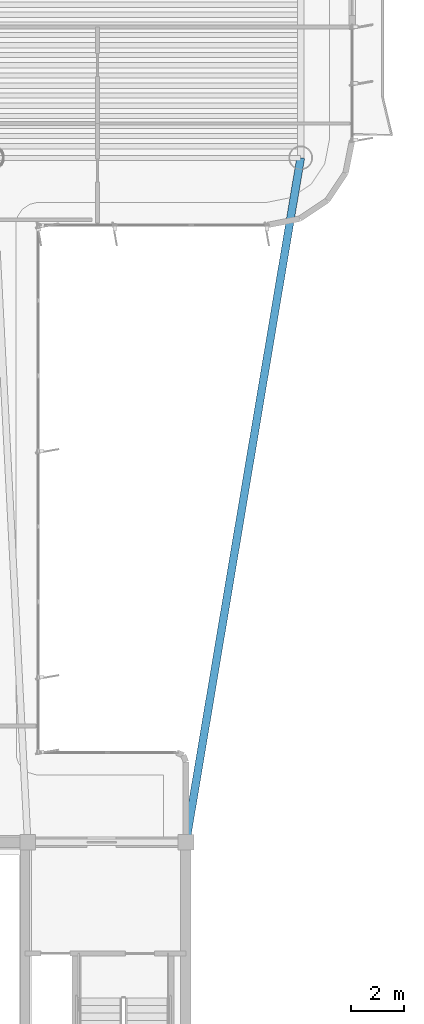
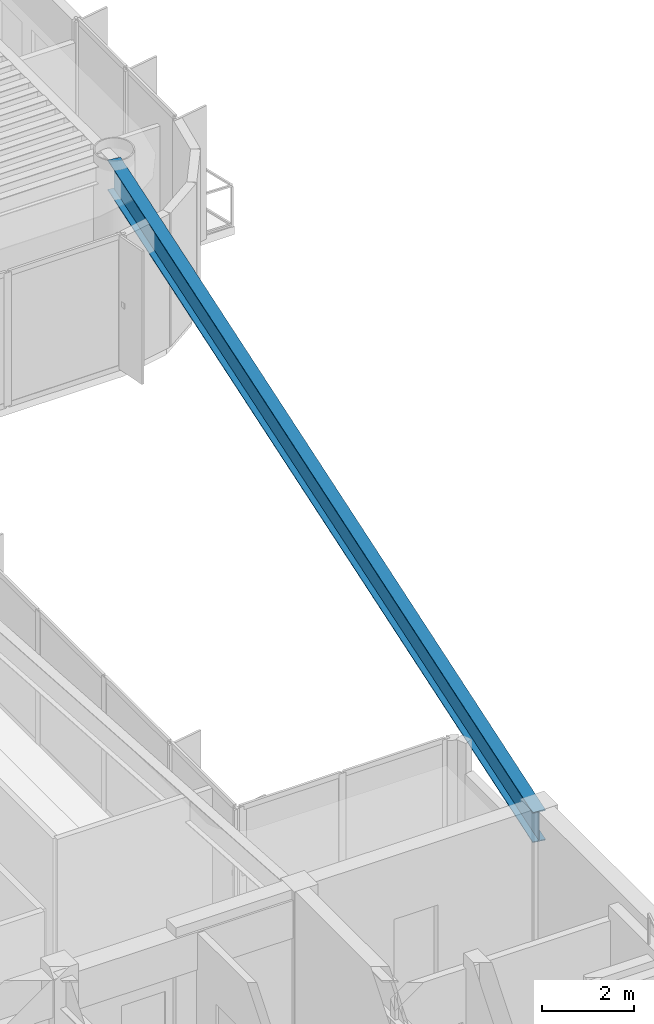
# One storey, part 4 of 15: 1 beam.
"""IFC4 building model written with IfcOpenShell, lengths in metres."""

from ifc_helpers import new_model, si_unit, direction, frame, origin, origin_2d, place, context, subcontext, project, spatial, i_section, extrude, source, transform, mapped, material, material_profile, profile_set, type_object, element, save


model = new_model("IFC4")

# Units and contexts
model_context = context("Model", 3, precision=1e-05, world=origin(), true_north=direction((0.0, 1.0)))
body_context = subcontext(model_context, "Body", "Model", "MODEL_VIEW")
ifc_project = project(units=[si_unit("LENGTHUNIT", "METRE"), si_unit("AREAUNIT", "SQUARE_METRE"), si_unit("VOLUMEUNIT", "CUBIC_METRE"), si_unit("PLANEANGLEUNIT", "RADIAN"), si_unit("MASSUNIT", "GRAM", prefix="KILO")], contexts=[model_context])

# Site, building, storey
site_placement = place(None, origin())
site = spatial("IfcSite", under=ifc_project, at=site_placement, CompositionType="ELEMENT")
building_placement = place(site_placement, origin())
building = spatial("IfcBuilding", under=site, at=building_placement, Name="Brelvock Crest Care Tower", CompositionType="ELEMENT")
storey_placement = place(building_placement, frame((0.0, 0.0, 241.919921875)))
storey = spatial("IfcBuildingStorey", under=building, at=storey_placement, Name="L61", CompositionType="ELEMENT", Elevation=241.919921875)

# Beam
ifc_material = material(Name="Steel Grade 350", Category="steel")
ifc_material_profile = material_profile(ifc_material, i_section(OverallWidth=0.300048828125, OverallDepth=0.800048828125, WebThickness=0.013916015625, FlangeThickness=0.02197265625, at=origin_2d()), Name="800WB192")
ifc_profile_set = profile_set([ifc_material_profile], Name="Steel Grade 350")
beam_type = type_object("IfcBeamType", Name="BM-G5", PredefinedType="BEAM", material=ifc_profile_set)
shared_shape = source(origin(), body_context, "Body", "SweptSolid", [
    extrude(i_section(OverallWidth=0.300048828125, OverallDepth=0.800048828125, WebThickness=0.013916015625, FlangeThickness=0.02197265625, at=origin_2d()), origin(), (0.0, 0.0, 1.0), 26.31201171875),
])
beam_placement = place(storey_placement, frame((48.0, 18.0, 3.130126953125), z_axis=(0.165327282709, 0.986238758918, 0.0), x_axis=(-0.986238758918, 0.165327282709, 0.0)))
element("IfcBeam", 1, at=beam_placement, inside=storey, type_object=beam_type, Name="BM-THRO-E-L61", PredefinedType="BEAM", context=body_context, shape_type="MappedRepresentation", body=[
    mapped(shared_shape, transform((0.0, 0.0, 0.0), x_axis=(1.0, 0.0, 0.0), y_axis=(0.0, 1.0, 0.0), z_axis=(0.0, 0.0, 1.0), scale=1.0)),
])

save(model, "model.ifc")
